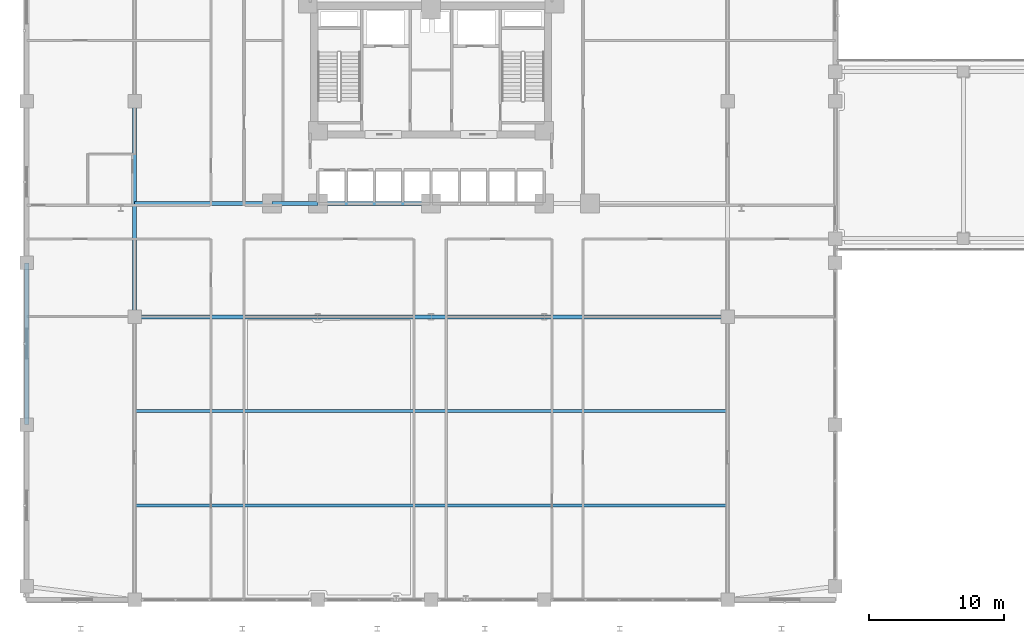
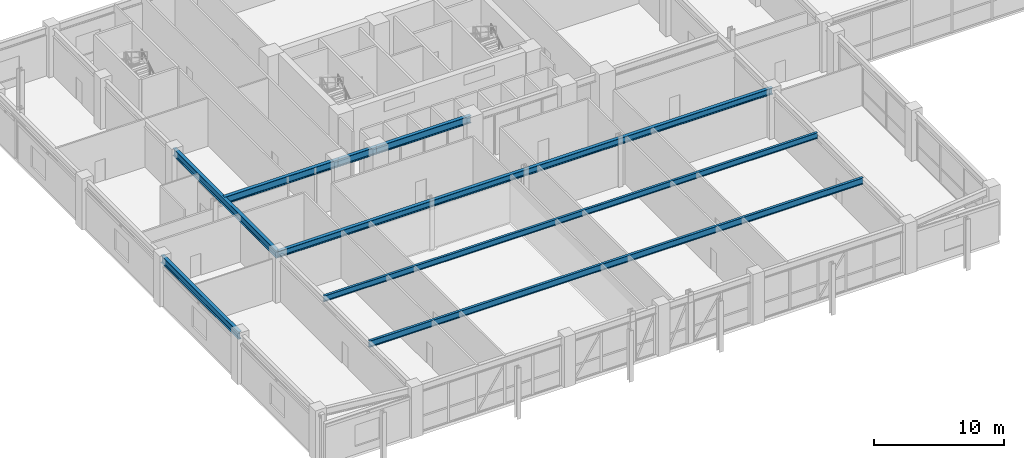
# One storey, part 8 of 48: 8 beams.
"""IFC4 building model written with IfcOpenShell, lengths in metres."""

from ifc_helpers import new_model, si_unit, derived_unit, direction, frame, origin, origin_2d, place, context, subcontext, project, spatial, i_section, extrude, source, transform, mapped, material, material_profile, profile_set, type_object, element, save


model = new_model("IFC4")

# Units and contexts
model_context = context("Model", 3, precision=1e-05, world=origin(), true_north=direction((0.0, 1.0)))
body_context = subcontext(model_context, "Body", "Model", "MODEL_VIEW")
ifc_project = project(units=[si_unit("LENGTHUNIT", "METRE"), si_unit("AREAUNIT", "SQUARE_METRE"), si_unit("VOLUMEUNIT", "CUBIC_METRE"), si_unit("PLANEANGLEUNIT", "RADIAN"), si_unit("MASSUNIT", "GRAM", prefix="KILO"), derived_unit("THERMALTRANSMITTANCEUNIT", [(si_unit("POWERUNIT", "WATT"), 1), (si_unit("LENGTHUNIT", "METRE"), -2), (si_unit("THERMODYNAMICTEMPERATUREUNIT", "KELVIN"), -1)])], contexts=[model_context])

# Site, building, storey
site_placement = place(None, origin())
site = spatial("IfcSite", under=ifc_project, at=site_placement, CompositionType="ELEMENT")
building_placement = place(site_placement, origin())
building = spatial("IfcBuilding", under=site, at=building_placement, Name="Korsvarv Bourse and Concert Hall", CompositionType="ELEMENT")
storey_placement = place(building_placement, frame((0.0, 0.0, 4.800048828125)))
storey = spatial("IfcBuildingStorey", under=building, at=storey_placement, Name="L01", CompositionType="ELEMENT", Elevation=4.800048828125)

# Beams
ifc_material = material(Name="Steel S355", Category="steel")
ifc_material_profile_1 = material_profile(ifc_material, i_section(OverallWidth=0.300048828125, OverallDepth=0.699951171875, WebThickness=0.01708984375, FlangeThickness=0.031982421875, FilletRadius=0.027099609375, at=origin_2d()), Name="HEB 700")
ifc_profile_set_1 = profile_set([ifc_material_profile_1], Name="Steel S355")
beam_type_1 = type_object("IfcBeamType", Name="BM-HEB700", PredefinedType="BEAM", material=ifc_profile_set_1)
shared_shape_1 = source(origin(), body_context, "Body", "SweptSolid", [
    extrude(i_section(OverallWidth=0.300048828125, OverallDepth=0.699951171875, WebThickness=0.01708984375, FlangeThickness=0.031982421875, FilletRadius=0.027099609375, at=origin_2d()), origin(), (0.0, 0.0, 1.0), 12.0),
])
beam_1_placement = place(storey_placement, frame((6.0, 16.0, 4.169921875), z_axis=(0.0, 1.0, 0.0), x_axis=(-1.0, 0.0, 0.0)))
element("IfcBeam", 1, at=beam_1_placement, inside=storey, type_object=beam_type_1, Name="L01 beam B-03", PredefinedType="BEAM", context=body_context, shape_type="MappedRepresentation", body=[
    mapped(shared_shape_1, transform((0.0, 0.0, 0.0), scale=1.0)),
])
shared_shape_2 = source(origin(), body_context, "Body", "SweptSolid", [
    extrude(i_section(OverallWidth=0.300048828125, OverallDepth=0.699951171875, WebThickness=0.01708984375, FlangeThickness=0.031982421875, FilletRadius=0.027099609375, at=origin_2d()), origin(), (0.0, 0.0, 1.0), 8.39990234375),
])
beam_2_placement = place(storey_placement, frame((27.60009765625, 32.39990234375, 4.169921875), z_axis=(1.0, 0.0, 0.0), x_axis=(0.0, 1.0, 0.0)))
element("IfcBeam", 2, at=beam_2_placement, inside=storey, type_object=beam_type_1, Name="L01 beam B-03", PredefinedType="BEAM", context=body_context, shape_type="MappedRepresentation", body=[
    mapped(shared_shape_2, transform((0.0, 0.0, 0.0), scale=1.0)),
])
shared_shape_3 = source(origin(), body_context, "Body", "SweptSolid", [
    extrude(i_section(OverallWidth=0.300048828125, OverallDepth=0.699951171875, WebThickness=0.01708984375, FlangeThickness=0.031982421875, FilletRadius=0.027099609375, at=origin_2d()), origin(), (0.0, 0.0, 1.0), 16.0),
])
beam_3_placement = place(storey_placement, frame((14.0, 24.0, 4.169921875), z_axis=(0.0, 1.0, 0.0), x_axis=(-1.0, 0.0, 0.0)))
element("IfcBeam", 3, at=beam_3_placement, inside=storey, type_object=beam_type_1, Name="L01 beam B-03", PredefinedType="BEAM", context=body_context, shape_type="MappedRepresentation", body=[
    mapped(shared_shape_3, transform((0.0, 0.0, 0.0), scale=1.0)),
])
shared_shape_4 = source(origin(), body_context, "Body", "SweptSolid", [
    extrude(i_section(OverallWidth=0.300048828125, OverallDepth=0.699951171875, WebThickness=0.01708984375, FlangeThickness=0.031982421875, FilletRadius=0.027099609375, at=origin_2d()), origin(), (0.0, 0.0, 1.0), 10.199951171875),
])
beam_4_placement = place(storey_placement, frame((14.0, 32.39990234375, 4.169921875), z_axis=(1.0, 0.0, 0.0), x_axis=(0.0, 1.0, 0.0)))
element("IfcBeam", 4, at=beam_4_placement, inside=storey, type_object=beam_type_1, Name="L01 beam B-03", PredefinedType="BEAM", context=body_context, shape_type="MappedRepresentation", body=[
    mapped(shared_shape_4, transform((0.0, 0.0, 0.0), scale=1.0)),
])
shared_shape_5 = source(origin(), body_context, "Body", "SweptSolid", [
    extrude(i_section(OverallWidth=0.300048828125, OverallDepth=0.699951171875, WebThickness=0.01708984375, FlangeThickness=0.031982421875, FilletRadius=0.027099609375, at=origin_2d()), origin(), (0.0, 0.0, 1.0), 3.400146484375),
])
beam_5_placement = place(storey_placement, frame((24.199951171875, 32.39990234375, 4.169921875), z_axis=(1.0, 0.0, 0.0), x_axis=(0.0, 1.0, 0.0)))
element("IfcBeam", 5, at=beam_5_placement, inside=storey, type_object=beam_type_1, Name="L01 beam B-03", PredefinedType="BEAM", context=body_context, shape_type="MappedRepresentation", body=[
    mapped(shared_shape_5, transform((0.0, 0.0, 0.0), scale=1.0)),
])
ifc_material_profile_2 = material_profile(ifc_material, i_section(OverallWidth=0.219970703125, OverallDepth=0.60009765625, WebThickness=0.011962890625, FlangeThickness=0.01904296875, FilletRadius=0.02392578125, at=origin_2d()), Name="IPE 600")
ifc_profile_set_2 = profile_set([ifc_material_profile_2], Name="Steel S355")
beam_type_2 = type_object("IfcBeamType", Name="BM-IPE600", PredefinedType="JOIST", material=ifc_profile_set_2)
shared_shape_6 = source(origin(), body_context, "Body", "SweptSolid", [
    extrude(i_section(OverallWidth=0.219970703125, OverallDepth=0.60009765625, WebThickness=0.011962890625, FlangeThickness=0.01904296875, FilletRadius=0.02392578125, at=origin_2d()), origin(), (0.0, 0.0, 1.0), 44.0),
])
beam_6_placement = place(storey_placement, frame((14.0, 10.0, 4.219970703125), z_axis=(1.0, 0.0, 0.0), x_axis=(0.0, 1.0, 0.0)))
element("IfcBeam", 6, at=beam_6_placement, inside=storey, type_object=beam_type_2, Name="L01 beam J-01", PredefinedType="JOIST", context=body_context, shape_type="MappedRepresentation", body=[
    mapped(shared_shape_6, transform((0.0, 0.0, 0.0), scale=1.0)),
])
ifc_material_profile_3 = material_profile(ifc_material, i_section(OverallWidth=0.2099609375, OverallDepth=0.550048828125, WebThickness=0.010986328125, FlangeThickness=0.01708984375, FilletRadius=0.02392578125, at=origin_2d()), Name="IPE 550")
ifc_profile_set_3 = profile_set([ifc_material_profile_3], Name="Steel S355")
beam_type_3 = type_object("IfcBeamType", Name="BM-IPE550", PredefinedType="JOIST", material=ifc_profile_set_3)
shared_shape_7 = source(origin(), body_context, "Body", "SweptSolid", [
    extrude(i_section(OverallWidth=0.2099609375, OverallDepth=0.550048828125, WebThickness=0.010986328125, FlangeThickness=0.01708984375, FilletRadius=0.02392578125, at=origin_2d()), origin(), (0.0, 0.0, 1.0), 44.0),
])
beam_7_placement = place(storey_placement, frame((14.0, 17.0, 4.244873046875), z_axis=(1.0, 0.0, 0.0), x_axis=(0.0, 1.0, 0.0)))
element("IfcBeam", 7, at=beam_7_placement, inside=storey, type_object=beam_type_3, Name="L01 beam J-02", PredefinedType="JOIST", context=body_context, shape_type="MappedRepresentation", body=[
    mapped(shared_shape_7, transform((0.0, 0.0, 0.0), scale=1.0)),
])
ifc_material_profile_4 = material_profile(ifc_material, i_section(OverallWidth=0.300048828125, OverallDepth=0.60009765625, WebThickness=0.015380859375, FlangeThickness=0.030029296875, FilletRadius=0.02392578125, at=origin_2d()), Name="HEB 600")
ifc_profile_set_4 = profile_set([ifc_material_profile_4], Name="Steel S355")
beam_type_4 = type_object("IfcBeamType", Name="BM-HEB600", PredefinedType="BEAM", material=ifc_profile_set_4)
shared_shape_8 = source(origin(), body_context, "Body", "SweptSolid", [
    extrude(i_section(OverallWidth=0.300048828125, OverallDepth=0.60009765625, WebThickness=0.015380859375, FlangeThickness=0.030029296875, FilletRadius=0.02392578125, at=origin_2d()), origin(), (0.0, 0.0, 1.0), 44.0),
])
beam_8_placement = place(storey_placement, frame((14.0, 24.0, 4.219970703125), z_axis=(1.0, 0.0, 0.0), x_axis=(0.0, 1.0, 0.0)))
element("IfcBeam", 8, at=beam_8_placement, inside=storey, type_object=beam_type_4, Name="L01 beam B-05", PredefinedType="BEAM", context=body_context, shape_type="MappedRepresentation", body=[
    mapped(shared_shape_8, transform((0.0, 0.0, 0.0), scale=1.0)),
])

save(model, "model.ifc")
